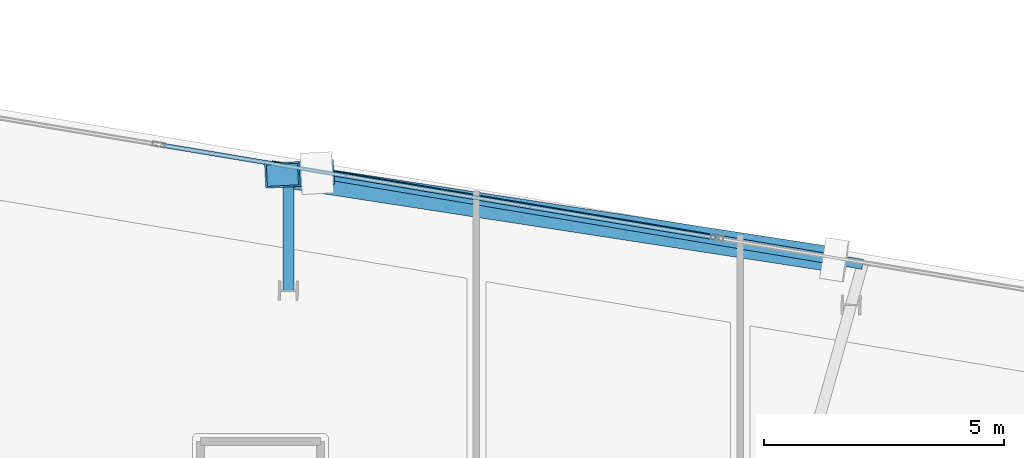
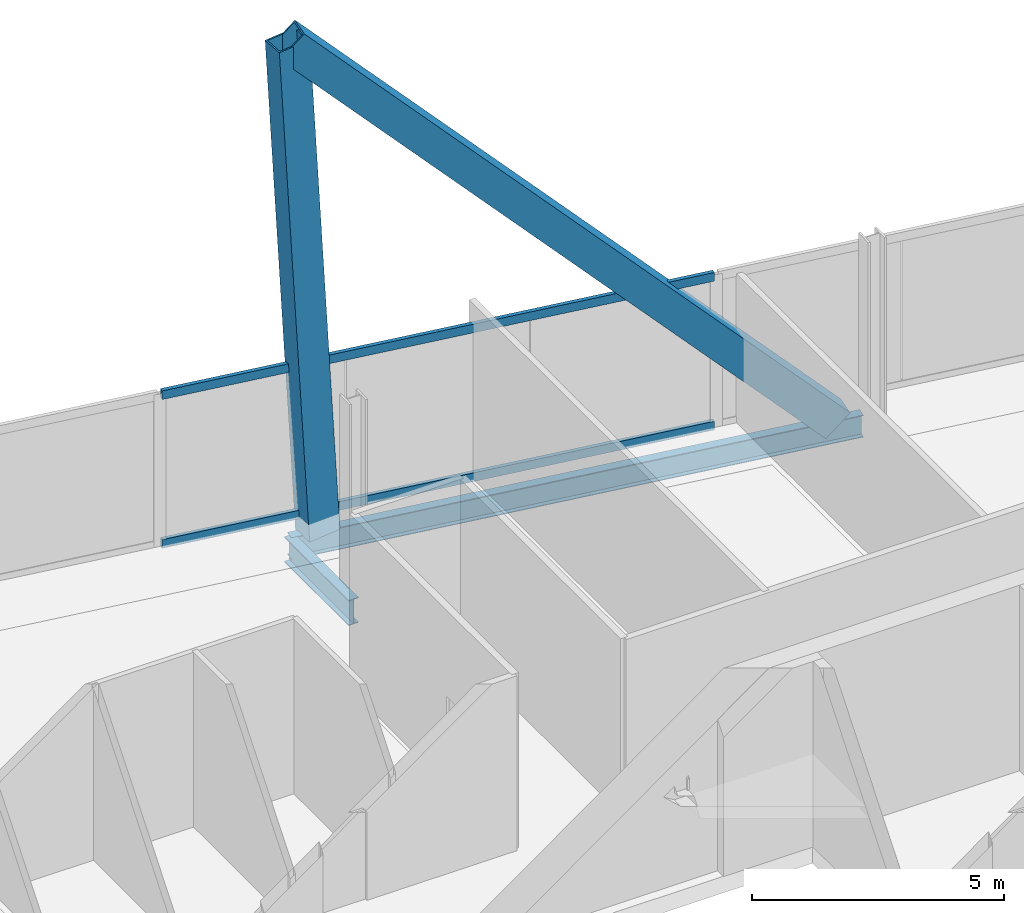
# One storey, part 9 of 18: 4 members, 2 beams, 1 element without a shape of its own.
"""IFC4 building model written with IfcOpenShell, lengths in metres."""

from ifc_helpers import new_model, si_unit, direction, frame, origin, origin_2d, place, context, subcontext, project, spatial, hollow_rectangle, i_section, extrude, material, material_profile, profile_set, type_object, element, aggregate, save


model = new_model("IFC4")

# Units and contexts
model_context = context("Model", 3, precision=1e-05, world=origin(), true_north=direction((0.0, 1.0)))
body_context = subcontext(model_context, "Body", "Model", "MODEL_VIEW")
ifc_project = project(units=[si_unit("LENGTHUNIT", "METRE"), si_unit("AREAUNIT", "SQUARE_METRE"), si_unit("VOLUMEUNIT", "CUBIC_METRE"), si_unit("PLANEANGLEUNIT", "RADIAN"), si_unit("MASSUNIT", "GRAM", prefix="KILO")], contexts=[model_context])

# Site, building, storey
site_placement = place(None, origin())
site = spatial("IfcSite", under=ifc_project, at=site_placement, CompositionType="ELEMENT")
building_placement = place(site_placement, origin())
building = spatial("IfcBuilding", under=site, at=building_placement, Name="Haldenkirk Collegiate Tower", CompositionType="ELEMENT")
storey_placement = place(building_placement, frame((0.0, 0.0, 298.199951171875)))
storey = spatial("IfcBuildingStorey", under=building, at=storey_placement, Name="L75", CompositionType="ELEMENT", Elevation=298.199951171875)

# Beams
ifc_material_1 = material(Name="Steel ASTM A992 Grade 50", Category="steel")
ifc_material_profile_1 = material_profile(ifc_material_1, i_section(OverallWidth=0.22998046875, OverallDepth=0.616943359375, WebThickness=0.01318359375, FlangeThickness=0.022216796875, at=origin_2d()), Name="W24X94")
ifc_profile_set_1 = profile_set([ifc_material_profile_1], Name="Steel ASTM A992 Grade 50")
beam_type_1 = type_object("IfcBeamType", Name="BM-GIRDER-W24X94", PredefinedType="BEAM", material=ifc_profile_set_1)
beam_1_placement = place(storey_placement, frame((36.582275390625, 46.041748046875, -0.70849609375), z_axis=(0.0, 1.0, 0.0), x_axis=(-1.0, 0.0, 0.0)))
element("IfcBeam", 1, at=beam_1_placement, inside=storey, type_object=beam_type_1, Name="L75 facade lookout girder 09", PredefinedType="BEAM", context=body_context, shape_type="SweptSolid", body=[
    extrude(i_section(OverallWidth=0.22998046875, OverallDepth=0.616943359375, WebThickness=0.01318359375, FlangeThickness=0.022216796875, at=origin_2d()), origin(), (0.0, 0.0, 1.0), 2.552001953125),
])
ifc_material_profile_2 = material_profile(ifc_material_1, i_section(OverallWidth=0.2099609375, OverallDepth=0.537109375, WebThickness=0.010986328125, FlangeThickness=0.017333984375, at=origin_2d()), Name="W21X68")
ifc_profile_set_2 = profile_set([ifc_material_profile_2], Name="Steel ASTM A992 Grade 50")
beam_type_2 = type_object("IfcBeamType", Name="BM-SPANDREL-W21X68", PredefinedType="SPANDREL", material=ifc_profile_set_2)
beam_2_placement = place(storey_placement, frame((48.55029296875, 46.591064453125, -0.66845703125), z_axis=(-0.986286590749, 0.165041694456, 0.0), x_axis=(-0.165041694456, -0.986286590749, 0.0)))
element("IfcBeam", 2, at=beam_2_placement, inside=storey, type_object=beam_type_2, Name="L75 outer facade edge beam 2", PredefinedType="SPANDREL", context=body_context, shape_type="SweptSolid", body=[
    extrude(i_section(OverallWidth=0.2099609375, OverallDepth=0.537109375, WebThickness=0.010986328125, FlangeThickness=0.017333984375, at=origin_2d()), origin(), (0.0, 0.0, 1.0), 12.134521484375),
])

# Curtain wall, members
ifc_material_2 = material(Name="Anodised architectural bronze aluminium", Category="aluminium")
curtain_wall_type = type_object("IfcCurtainWallType", Name="CW-SYS4-SKYGARDEN", PredefinedType="USERDEFINED", material=ifc_material_2)
curtain_wall_placement = place(storey_placement, origin())
curtain_wall = element("IfcCurtainWall", 3, at=curtain_wall_placement, inside=storey, type_object=curtain_wall_type, Name="L75 Sky-garden tall bronze curtain wall", ObjectType="UNITISED CURTAIN WALL", PredefinedType="USERDEFINED")
ifc_material_profile_3 = material_profile(ifc_material_2, hollow_rectangle(XDim=0.090087890625, YDim=0.2099609375, WallThickness=0.0048828125, at=origin_2d()), Name="CW-TRN-04")
ifc_profile_set_3 = profile_set([ifc_material_profile_3], Name="Anodised architectural bronze aluminium")
member_type_1 = type_object("IfcMemberType", Name="CW-TRN-04", PredefinedType="USERDEFINED", material=ifc_profile_set_3)
member_1_placement = place(storey_placement, frame((33.92578125, 49.078857421875, 0.045166015625), z_axis=(0.986286651811, -0.165041329551, 0.0), x_axis=(0.165041329551, 0.986286651811, 0.0)))
member_1 = element("IfcMember", 4, at=member_1_placement, type_object=member_type_1, Name="CW-04 transom 2.1", ObjectType="TRANSOM", PredefinedType="USERDEFINED", context=body_context, shape_type="SweptSolid", body=[
    extrude(hollow_rectangle(XDim=0.090087890625, YDim=0.2099609375, WallThickness=0.0048828125, at=origin_2d()), origin(), (0.0, 0.0, 1.0), 11.7099609375),
])
member_2_placement = place(storey_placement, frame((33.92578125, 49.078857421875, 3.653076171875), z_axis=(0.986286651811, -0.165041329551, 0.0), x_axis=(0.165041329551, 0.986286651811, 0.0)))
member_2 = element("IfcMember", 5, at=member_2_placement, type_object=member_type_1, Name="CW-04 transom 2.2", ObjectType="TRANSOM", PredefinedType="USERDEFINED", context=body_context, shape_type="SweptSolid", body=[
    extrude(hollow_rectangle(XDim=0.090087890625, YDim=0.2099609375, WallThickness=0.0048828125, at=origin_2d()), origin(), (0.0, 0.0, 1.0), 11.7099609375),
])
aggregate(curtain_wall, [member_1, member_2])

# Members
ifc_material_3 = material(Name="Steel ASTM A572 Grade 50", Category="steel")
ifc_material_profile_4 = material_profile(ifc_material_3, hollow_rectangle(XDim=0.52001953125, YDim=0.719970703125, WallThickness=0.035888671875, at=origin_2d()), Name="BOX720X520X36")
ifc_profile_set_4 = profile_set([ifc_material_profile_4], Name="Steel ASTM A572 Grade 50")
member_type_2 = type_object("IfcMemberType", Name="MBR-MEGABRACE-BOX720X520X36", PredefinedType="BRACE", material=ifc_profile_set_4)
member_3_placement = place(storey_placement, frame((47.95849609375, 46.68994140625, -0.409912109375), z_axis=(-0.6839309009, 0.105071601457, 0.721940774137), x_axis=(-0.151847481083, -0.988403936905, 0.0)))
element("IfcMember", 6, at=member_3_placement, inside=storey, type_object=member_type_2, Name="Perimeter Mega Brace Z6 L75-L77 EL", PredefinedType="BRACE", context=body_context, shape_type="SweptSolid", body=[
    extrude(hollow_rectangle(XDim=0.52001953125, YDim=0.719970703125, WallThickness=0.035888671875, at=origin_2d()), origin(), (0.0, 0.0, 1.0), 16.815673828125),
])
member_4_placement = place(storey_placement, frame((37.174072265625, 48.49462890625, -0.409912109375), z_axis=(-0.058901794013, -0.003111717134, 0.998258932281), x_axis=(0.052755336567, -0.998607467659, 0.0)))
element("IfcMember", 7, at=member_4_placement, inside=storey, type_object=member_type_2, Name="Perimeter Mega Brace Z6 L75-L77 ER", PredefinedType="BRACE", context=body_context, shape_type="SweptSolid", body=[
    extrude(hollow_rectangle(XDim=0.52001953125, YDim=0.719970703125, WallThickness=0.035888671875, at=origin_2d()), origin(), (0.0, 0.0, 1.0), 12.1611328125),
])

save(model, "model.ifc")
